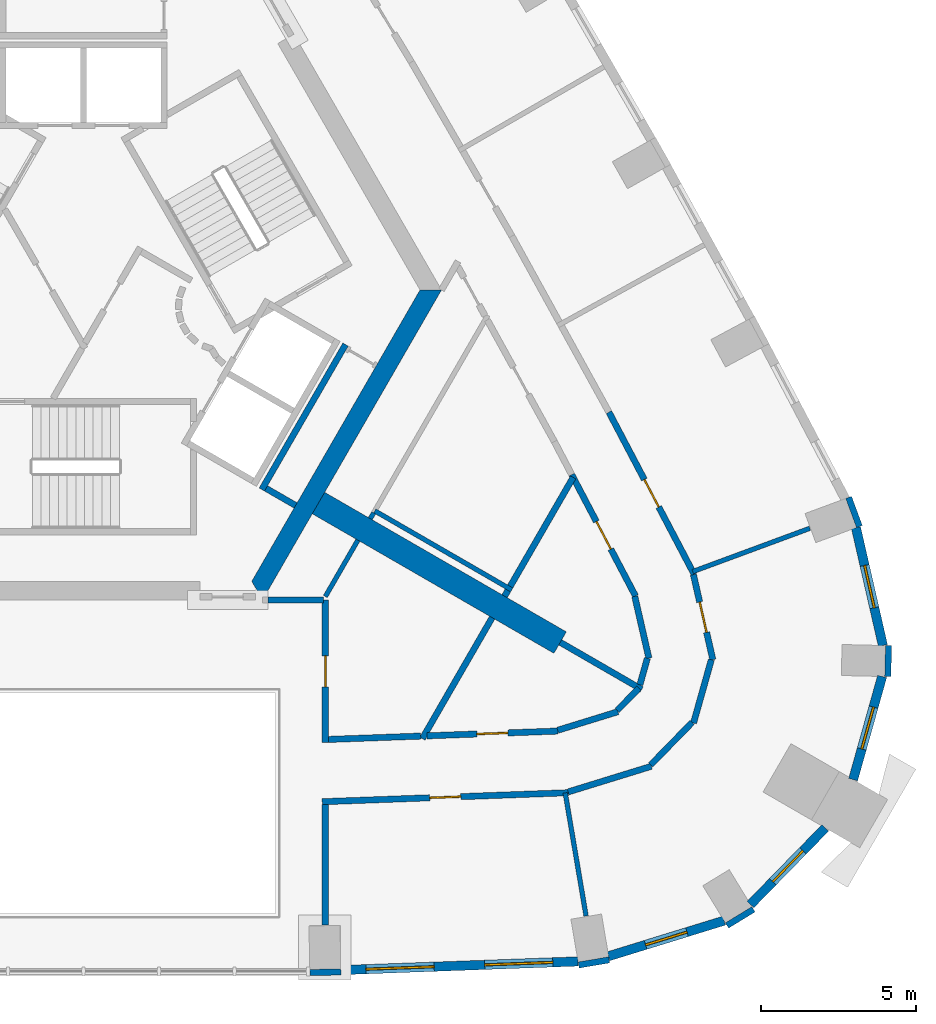
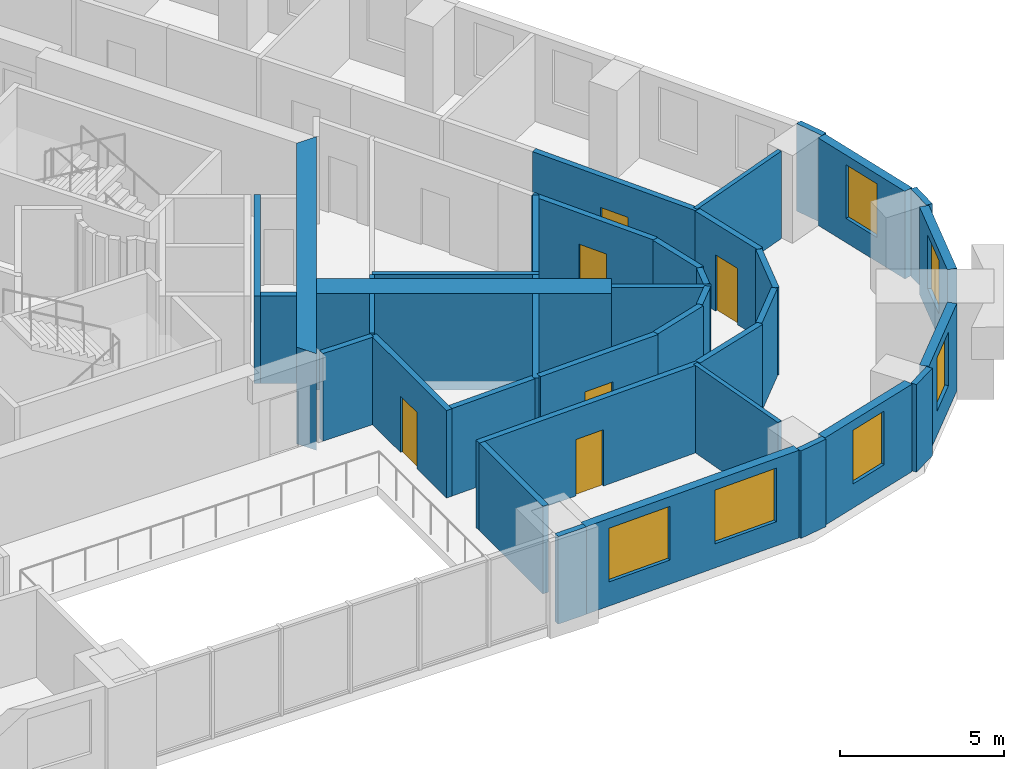
# One storey, part 6 of 11: 39 walls, 6 doors, 6 windows, 12 openings.
"""IFC4 building model written with IfcOpenShell, lengths in metres."""

from ifc_helpers import new_model, si_unit, direction, frame, frame_2d, origin, place, context, subcontext, project, spatial, polyline, rectangle, outline, extrude, material, layer, layer_set, type_object, element, fill, save


model = new_model("IFC4")

# Units and contexts
model_context = context("Model", 3, precision=1e-05, world=origin(), true_north=direction((0.0, 1.0)))
body_context = subcontext(model_context, "Body", "Model", "MODEL_VIEW")
ifc_project = project(units=[si_unit("LENGTHUNIT", "METRE"), si_unit("AREAUNIT", "SQUARE_METRE"), si_unit("VOLUMEUNIT", "CUBIC_METRE"), si_unit("PLANEANGLEUNIT", "RADIAN"), si_unit("MASSUNIT", "GRAM", prefix="KILO")], contexts=[model_context])

# Site, building, storey
site_placement = place(None, origin())
site = spatial("IfcSite", under=ifc_project, at=site_placement, CompositionType="ELEMENT")
building_placement = place(site_placement, origin())
building = spatial("IfcBuilding", under=site, at=building_placement, Name="Entoto Arch Interchange Tower", CompositionType="ELEMENT")
storey_placement = place(building_placement, frame((0.0, 0.0, 248.60009765625)))
storey = spatial("IfcBuildingStorey", under=building, at=storey_placement, Name="L56", CompositionType="ELEMENT", Elevation=248.60009765625)

# Walls
ifc_material_1 = material(Name="Concrete C40/50", Category="concrete")
ifc_layer_1 = layer(ifc_material_1, 0.800048828125)
ifc_layer_set_1 = layer_set([ifc_layer_1], Name="Concrete C40/50")
wall_type_1 = type_object("IfcWallType", Name="Buttress wall 800 C40/50", PredefinedType="SHEAR", material=ifc_layer_set_1)
wall_1_placement = place(storey_placement, frame((7.577880859375, -4.375, -0.340087890625), z_axis=(0.0, 0.0, 1.0), x_axis=(0.866024315419, -0.5000018851, 0.0)))
element("IfcWall", 1, at=wall_1_placement, inside=storey, type_object=wall_type_1, Name="Buttress wall SE L56", PredefinedType="SHEAR", context=body_context, shape_type="SweptSolid", body=[
    extrude(rectangle(XDim=9.0, YDim=0.800048828125, at=frame_2d((4.5, 0.0))), origin(), (0.0, 0.0, 1.0), 3.60009765625),
])
ifc_layer_2 = layer(ifc_material_1, 0.60009765625)
ifc_layer_set_2 = layer_set([ifc_layer_2], Name="Concrete C40/50")
wall_type_2 = type_object("IfcWallType", Name="Core wall 600 C40/50", PredefinedType="SHEAR", material=ifc_layer_set_2)
wall_2_placement = place(storey_placement, frame((0.0, 0.0, -0.340087890625)))
element("IfcWall", 2, at=wall_2_placement, inside=storey, type_object=wall_type_2, Name="Core wall SE L56", PredefinedType="SHEAR", context=body_context, shape_type="SweptSolid", body=[
    extrude(outline(polyline([(5.77392578125, -7.5), (11.547119140625, 2.5), (10.85400390625, 2.5), (5.427001953125, -6.89990234375), (5.77392578125, -7.5)])), origin(), (0.0, 0.0, 1.0), 3.60009765625),
])
ifc_material_2 = material(Name="Gypsum board partition on steel studs", Category="steel")
ifc_layer_3 = layer(ifc_material_2, 0.14990234375)
ifc_layer_set_3 = layer_set([ifc_layer_3], Name="Gypsum board partition on steel studs")
wall_type_3 = type_object("IfcWallType", Name="PARTITION 150", PredefinedType="PARTITIONING", material=ifc_layer_set_3)
wall_3_placement = place(storey_placement, frame((7.800048828125, -7.389892578125, 0.0), z_axis=(0.0, 0.0, 1.0), x_axis=(0.499977374825, 0.866038466041, 0.0)))
element("IfcWall", 3, at=wall_3_placement, inside=storey, type_object=wall_type_3, Name="wall:L56:p073", PredefinedType="PARTITIONING", context=body_context, shape_type="SweptSolid", body=[
    extrude(rectangle(XDim=2.10009765625, YDim=0.14990234375, at=frame_2d((1.050048828125, 0.0))), origin(), (0.0, 0.0, 1.0), 3.260009765625),
])
wall_4_placement = place(storey_placement, frame((9.39501953125, -4.626953125, 0.0), z_axis=(0.0, 0.0, 1.0), x_axis=(0.866034131428, -0.499984882974, 0.0)))
element("IfcWall", 4, at=wall_4_placement, inside=storey, type_object=wall_type_3, Name="wall:L56:p091", PredefinedType="PARTITIONING", context=body_context, shape_type="SweptSolid", body=[
    extrude(rectangle(XDim=5.100341796875, YDim=0.14990234375, at=frame_2d((2.55029296875, 0.0))), origin(), (0.0, 0.0, 1.0), 3.260009765625),
])
wall_5_placement = place(storey_placement, frame((15.537109375, -13.721923828125, 0.0), z_axis=(0.0, 0.0, 1.0), x_axis=(0.167012380144, -0.985954798598, 0.0)))
element("IfcWall", 5, at=wall_5_placement, inside=storey, type_object=wall_type_3, Name="wall:L56:p103", PredefinedType="PARTITIONING", context=body_context, shape_type="SweptSolid", body=[
    extrude(rectangle(XDim=4.02880859375, YDim=0.14990234375, at=frame_2d((2.014404296875, 0.0))), origin(), (0.0, 0.0, 1.0), 3.260009765625),
])
wall_6_placement = place(storey_placement, frame((19.64892578125, -6.5859375, 0.0), z_axis=(0.0, 0.0, 1.0), x_axis=(0.937935790958, 0.346808956114, 0.0)))
element("IfcWall", 6, at=wall_6_placement, inside=storey, type_object=wall_type_3, Name="wall:L56:p104", PredefinedType="PARTITIONING", context=body_context, shape_type="SweptSolid", body=[
    extrude(rectangle(XDim=4.028076171875, YDim=0.14990234375, at=frame_2d((2.01416015625, 0.0))), origin(), (0.0, 0.0, 1.0), 3.260009765625),
])
wall_7_placement = place(storey_placement, frame((9.25, -4.87890625, 0.0), z_axis=(0.0, 0.0, 1.0), x_axis=(0.499787711288, 0.866147934042, 0.0)))
element("IfcWall", 7, at=wall_7_placement, inside=storey, type_object=wall_type_3, Name="wall:L56:p073", PredefinedType="PARTITIONING", context=body_context, shape_type="SweptSolid", body=[
    extrude(rectangle(XDim=0.2158203125, YDim=0.14990234375, at=frame_2d((0.10791015625, 0.0))), origin(), (0.0, 0.0, 1.0), 3.260009765625),
])
ifc_layer_4 = layer(ifc_material_2, 0.199951171875)
ifc_layer_set_4 = layer_set([ifc_layer_4], Name="Gypsum board partition on steel studs")
wall_type_4 = type_object("IfcWallType", Name="PARTITION 200", PredefinedType="PARTITIONING", material=ifc_layer_set_4)
wall_8_placement = place(storey_placement, frame((7.89990234375, -11.9990234375, 0.0), z_axis=(0.0, 0.0, 1.0), x_axis=(0.999343711998, 0.036223546064, 0.0)))
element("IfcWall", 8, at=wall_8_placement, inside=storey, type_object=wall_type_4, Name="wall:L56:p013", PredefinedType="PARTITIONING", context=body_context, shape_type="SweptSolid", body=[
    extrude(rectangle(XDim=2.97900390625, YDim=0.199951171875, at=frame_2d((1.489501953125, 0.0))), origin(), (0.0, 0.0, 1.0), 3.260009765625),
])

# Wall, opening, door
wall_9_placement = place(storey_placement, frame((11.076904296875, -11.883056640625, 0.0), z_axis=(0.0, 0.0, 1.0), x_axis=(0.999335333519, 0.036453959732, 0.0)))
wall_9 = element("IfcWall", 9, at=wall_9_placement, inside=storey, type_object=wall_type_4, Name="wall:L56:p016", PredefinedType="PARTITIONING", context=body_context, shape_type="SweptSolid", body=[
    extrude(rectangle(XDim=4.22607421875, YDim=0.199951171875, at=frame_2d((2.113037109375, 0.0))), origin(), (0.0, 0.0, 1.0), 3.260009765625),
])
opening_1_placement = place(wall_9_placement, frame((1.613037109375, 0.0, 0.0)))
opening_1 = element("IfcOpeningElement", 10, at=opening_1_placement, cuts=wall_9, Name="Opening L56-D16", PredefinedType="OPENING", context=body_context, shape_type="SweptSolid", body=[
    extrude(rectangle(XDim=1.0, YDim=2.10009765625, at=frame_2d((0.5, 1.050048828125))), frame((0.0, 0.10986328125, 0.0), z_axis=(0.0, -1.0, 0.0), x_axis=(1.0, 0.0, 0.0)), (0.0, 0.0, 1.0), 0.219970703125),
])
ifc_material_3 = material(Name="Timber door leaf in Steel S235 frame", Category="steel")
door_type = type_object("IfcDoorType", Name="DOOR DS-10 1000x2100", OperationType="SINGLE_SWING_LEFT", PredefinedType="DOOR", material=ifc_material_3)
door_1_placement = place(opening_1_placement, origin())
door_1 = element("IfcDoor", 11, at=door_1_placement, inside=storey, type_object=door_type, Name="door:L56:16", OperationType="SINGLE_SWING_LEFT", OverallHeight=2.10009765625, OverallWidth=1.0, PredefinedType="DOOR", context=body_context, shape_type="SweptSolid", body=[
    extrude(rectangle(XDim=1.0, YDim=2.10009765625, at=frame_2d((0.5, 1.050048828125))), frame((0.0, 0.02490234375, 0.0), z_axis=(0.0, -1.0, 0.0), x_axis=(1.0, 0.0, 0.0)), (0.0, 0.0, 1.0), 0.050048828125),
])
fill(opening_1, door_1)

# Walls
wall_10_placement = place(storey_placement, frame((15.294921875, -11.702880859375, 0.0), z_axis=(0.0, 0.0, 1.0), x_axis=(0.95563113363, 0.294566013716, 0.0)))
element("IfcWall", 12, at=wall_10_placement, inside=storey, type_object=wall_type_4, Name="wall:L56:p017", PredefinedType="PARTITIONING", context=body_context, shape_type="SweptSolid", body=[
    extrude(rectangle(XDim=2.036376953125, YDim=0.199951171875, at=frame_2d((1.01806640625, 0.0))), origin(), (0.0, 0.0, 1.0), 3.260009765625),
])
wall_11_placement = place(storey_placement, frame((17.215087890625, -11.06103515625, 0.0), z_axis=(0.0, 0.0, 1.0), x_axis=(0.698527813511, 0.715582904877, 0.0)))
element("IfcWall", 13, at=wall_11_placement, inside=storey, type_object=wall_type_4, Name="wall:L56:p018", PredefinedType="PARTITIONING", context=body_context, shape_type="SweptSolid", body=[
    extrude(rectangle(XDim=1.001953125, YDim=0.199951171875, at=frame_2d((0.5009765625, 0.0))), origin(), (0.0, 0.0, 1.0), 3.260009765625),
])
wall_12_placement = place(storey_placement, frame((17.945068359375, -10.238037109375, 0.0), z_axis=(0.0, 0.0, 1.0), x_axis=(0.270785141481, 0.962639811743, 0.0)))
element("IfcWall", 14, at=wall_12_placement, inside=storey, type_object=wall_type_4, Name="wall:L56:p019", PredefinedType="PARTITIONING", context=body_context, shape_type="SweptSolid", body=[
    extrude(rectangle(XDim=0.8935546875, YDim=0.199951171875, at=frame_2d((0.44677734375, 0.0))), origin(), (0.0, 0.0, 1.0), 3.260009765625),
])
wall_13_placement = place(storey_placement, frame((18.236083984375, -9.37890625, 0.0), z_axis=(0.0, 0.0, 1.0), x_axis=(-0.222760041204, 0.974873306662, 0.0)))
element("IfcWall", 15, at=wall_13_placement, inside=storey, type_object=wall_type_4, Name="wall:L56:p020", PredefinedType="PARTITIONING", context=body_context, shape_type="SweptSolid", body=[
    extrude(rectangle(XDim=2.04736328125, YDim=0.199951171875, at=frame_2d((1.023681640625, 0.0))), origin(), (0.0, 0.0, 1.0), 3.260009765625),
])

# Wall, opening, door
wall_14_placement = place(storey_placement, frame((17.803955078125, -7.3740234375, 0.0), z_axis=(0.0, 0.0, 1.0), x_axis=(-0.465179971699, 0.885216128372, 0.0)))
wall_14 = element("IfcWall", 16, at=wall_14_placement, inside=storey, type_object=wall_type_4, Name="wall:L56:p021", PredefinedType="PARTITIONING", context=body_context, shape_type="SweptSolid", body=[
    extrude(rectangle(XDim=4.423828125, YDim=0.199951171875, at=frame_2d((2.2119140625, 0.0))), origin(), (0.0, 0.0, 1.0), 3.260009765625),
])
opening_2_placement = place(wall_14_placement, frame((1.7119140625, 0.0, 0.0)))
opening_2 = element("IfcOpeningElement", 17, at=opening_2_placement, cuts=wall_14, Name="Opening L56-D17", PredefinedType="OPENING", context=body_context, shape_type="SweptSolid", body=[
    extrude(rectangle(XDim=1.0, YDim=2.10009765625, at=frame_2d((0.5, 1.050048828125))), frame((0.0, 0.10986328125, 0.0), z_axis=(0.0, -1.0, 0.0), x_axis=(1.0, 0.0, 0.0)), (0.0, 0.0, 1.0), 0.219970703125),
])
door_2_placement = place(opening_2_placement, origin())
door_2 = element("IfcDoor", 18, at=door_2_placement, inside=storey, type_object=door_type, Name="door:L56:17", OperationType="SINGLE_SWING_LEFT", OverallHeight=2.10009765625, OverallWidth=1.0, PredefinedType="DOOR", context=body_context, shape_type="SweptSolid", body=[
    extrude(rectangle(XDim=1.0, YDim=2.10009765625, at=frame_2d((0.5, 1.050048828125))), frame((0.0, 0.02490234375, 0.0), z_axis=(0.0, -1.0, 0.0), x_axis=(1.0, 0.0, 0.0)), (0.0, 0.0, 1.0), 0.050048828125),
])
fill(opening_2, door_2)

wall_15_placement = place(storey_placement, frame((15.635986328125, -13.718017578125, 0.0), z_axis=(0.0, 0.0, 1.0), x_axis=(-0.99933282306, -0.036522715615, 0.0)))
wall_15 = element("IfcWall", 19, at=wall_15_placement, inside=storey, type_object=wall_type_4, Name="wall:L56:p034", PredefinedType="PARTITIONING", context=body_context, shape_type="SweptSolid", body=[
    extrude(rectangle(XDim=7.94140625, YDim=0.199951171875, at=frame_2d((3.970703125, 0.0))), origin(), (0.0, 0.0, 1.0), 3.260009765625),
])
opening_3_placement = place(wall_15_placement, frame((3.470947265625, 0.0, 0.0)))
opening_3 = element("IfcOpeningElement", 20, at=opening_3_placement, cuts=wall_15, Name="Opening L56-D01", PredefinedType="OPENING", context=body_context, shape_type="SweptSolid", body=[
    extrude(rectangle(XDim=1.0, YDim=2.10009765625, at=frame_2d((0.5, 1.050048828125))), frame((0.0, 0.10986328125, 0.0), z_axis=(0.0, -1.0, 0.0), x_axis=(1.0, 0.0, 0.0)), (0.0, 0.0, 1.0), 0.219970703125),
])
door_3_placement = place(opening_3_placement, origin())
door_3 = element("IfcDoor", 21, at=door_3_placement, inside=storey, type_object=door_type, Name="door:L56:01", OperationType="SINGLE_SWING_RIGHT", OverallHeight=2.10009765625, OverallWidth=1.0, PredefinedType="DOOR", context=body_context, shape_type="SweptSolid", body=[
    extrude(rectangle(XDim=1.0, YDim=2.10009765625, at=frame_2d((0.5, 1.050048828125))), frame((0.0, 0.02490234375, 0.0), z_axis=(0.0, -1.0, 0.0), x_axis=(1.0, 0.0, 0.0)), (0.0, 0.0, 1.0), 0.050048828125),
])
fill(opening_3, door_3)

wall_16_placement = place(storey_placement, frame((19.672119140625, -6.68310546875, 0.0), z_axis=(0.0, 0.0, 1.0), x_axis=(0.222523624687, -0.974927298036, 0.0)))
wall_16 = element("IfcWall", 22, at=wall_16_placement, inside=storey, type_object=wall_type_4, Name="wall:L56:p035", PredefinedType="PARTITIONING", context=body_context, shape_type="SweptSolid", body=[
    extrude(rectangle(XDim=2.8173828125, YDim=0.199951171875, at=frame_2d((1.40869140625, 0.0))), origin(), (0.0, 0.0, 1.0), 3.260009765625),
])
opening_4_placement = place(wall_16_placement, frame((0.908935546875, 0.0, 0.0)))
opening_4 = element("IfcOpeningElement", 23, at=opening_4_placement, cuts=wall_16, Name="Opening L56-D02", PredefinedType="OPENING", context=body_context, shape_type="SweptSolid", body=[
    extrude(rectangle(XDim=1.0, YDim=2.10009765625, at=frame_2d((0.5, 1.050048828125))), frame((0.0, 0.10986328125, 0.0), z_axis=(0.0, -1.0, 0.0), x_axis=(1.0, 0.0, 0.0)), (0.0, 0.0, 1.0), 0.219970703125),
])
door_4_placement = place(opening_4_placement, origin())
door_4 = element("IfcDoor", 24, at=door_4_placement, inside=storey, type_object=door_type, Name="door:L56:02", OperationType="SINGLE_SWING_LEFT", OverallHeight=2.10009765625, OverallWidth=1.0, PredefinedType="DOOR", context=body_context, shape_type="SweptSolid", body=[
    extrude(rectangle(XDim=1.0, YDim=2.10009765625, at=frame_2d((0.5, 1.050048828125))), frame((0.0, 0.02490234375, 0.0), z_axis=(0.0, -1.0, 0.0), x_axis=(1.0, 0.0, 0.0)), (0.0, 0.0, 1.0), 0.050048828125),
])
fill(opening_4, door_4)

# Walls
wall_17_placement = place(storey_placement, frame((20.25, -9.428955078125, 0.0), z_axis=(0.0, 0.0, 1.0), x_axis=(-0.270905475888, -0.962605954238, 0.0)))
element("IfcWall", 25, at=wall_17_placement, inside=storey, type_object=wall_type_4, Name="wall:L56:p036", PredefinedType="PARTITIONING", context=body_context, shape_type="SweptSolid", body=[
    extrude(rectangle(XDim=2.122314453125, YDim=0.199951171875, at=frame_2d((1.06103515625, 0.0))), origin(), (0.0, 0.0, 1.0), 3.260009765625),
])
wall_18_placement = place(storey_placement, frame((19.633056640625, -11.447021484375, 0.0), z_axis=(0.0, 0.0, 1.0), x_axis=(-0.698477855606, -0.715631668687, 0.0)))
element("IfcWall", 26, at=wall_18_placement, inside=storey, type_object=wall_type_4, Name="wall:L56:p037", PredefinedType="PARTITIONING", context=body_context, shape_type="SweptSolid", body=[
    extrude(rectangle(XDim=1.92138671875, YDim=0.199951171875, at=frame_2d((0.960693359375, 0.0))), origin(), (0.0, 0.0, 1.0), 3.260009765625),
])
wall_19_placement = place(storey_placement, frame((18.31689453125, -12.864013671875, 0.0), z_axis=(0.0, 0.0, 1.0), x_axis=(-0.955600342663, -0.294665887239, 0.0)))
element("IfcWall", 27, at=wall_19_placement, inside=storey, type_object=wall_type_4, Name="wall:L56:p038", PredefinedType="PARTITIONING", context=body_context, shape_type="SweptSolid", body=[
    extrude(rectangle(XDim=2.8095703125, YDim=0.199951171875, at=frame_2d((1.40478515625, 0.0))), origin(), (0.0, 0.0, 1.0), 3.260009765625),
])

# Wall, opening, door
wall_20_placement = place(storey_placement, frame((16.947021484375, -1.443115234375, 0.0), z_axis=(0.0, 0.0, 1.0), x_axis=(0.465133414481, -0.88524059257, 0.0)))
wall_20 = element("IfcWall", 28, at=wall_20_placement, inside=storey, type_object=wall_type_4, Name="wall:L56:p040", PredefinedType="PARTITIONING", context=body_context, shape_type="SweptSolid", body=[
    extrude(rectangle(XDim=5.91015625, YDim=0.199951171875, at=frame_2d((2.955078125, 0.0))), origin(), (0.0, 0.0, 1.0), 3.260009765625),
])
opening_5_placement = place(wall_20_placement, frame((2.455078125, 0.0, 0.0)))
opening_5 = element("IfcOpeningElement", 29, at=opening_5_placement, cuts=wall_20, Name="Opening L56-D03", PredefinedType="OPENING", context=body_context, shape_type="SweptSolid", body=[
    extrude(rectangle(XDim=1.0, YDim=2.10009765625, at=frame_2d((0.5, 1.050048828125))), frame((0.0, 0.10986328125, 0.0), z_axis=(0.0, -1.0, 0.0), x_axis=(1.0, 0.0, 0.0)), (0.0, 0.0, 1.0), 0.219970703125),
])
door_5_placement = place(opening_5_placement, origin())
door_5 = element("IfcDoor", 30, at=door_5_placement, inside=storey, type_object=door_type, Name="door:L56:03", OperationType="SINGLE_SWING_LEFT", OverallHeight=2.10009765625, OverallWidth=1.0, PredefinedType="DOOR", context=body_context, shape_type="SweptSolid", body=[
    extrude(rectangle(XDim=1.0, YDim=2.10009765625, at=frame_2d((0.5, 1.050048828125))), frame((0.0, 0.02490234375, 0.0), z_axis=(0.0, -1.0, 0.0), x_axis=(1.0, 0.0, 0.0)), (0.0, 0.0, 1.0), 0.050048828125),
])
fill(opening_5, door_5)

# Walls
wall_21_placement = place(storey_placement, frame((5.7509765625, -3.93798828125, 0.0), z_axis=(0.0, 0.0, 1.0), x_axis=(0.500034260056, 0.866005622828, 0.0)))
element("IfcWall", 31, at=wall_21_placement, inside=storey, type_object=wall_type_4, Name="wall:L56:p065", PredefinedType="PARTITIONING", context=body_context, shape_type="SweptSolid", body=[
    extrude(rectangle(XDim=5.3994140625, YDim=0.199951171875, at=frame_2d((2.69970703125, 0.0))), origin(), (0.0, 0.0, 1.0), 3.260009765625),
])
wall_22_placement = place(storey_placement, frame((6.841064453125, -4.451904296875, 0.0), z_axis=(0.0, 0.0, 1.0), x_axis=(-0.86621513555, 0.499671230855, 0.0)))
element("IfcWall", 32, at=wall_22_placement, inside=storey, type_object=wall_type_4, Name="wall:L56:p067", PredefinedType="PARTITIONING", context=body_context, shape_type="SweptSolid", body=[
    extrude(rectangle(XDim=1.100341796875, YDim=0.199951171875, at=frame_2d((0.55029296875, 0.0))), origin(), (0.0, 0.0, 1.0), 3.260009765625),
])

# Wall, opening, door
wall_23_placement = place(storey_placement, frame((7.800048828125, -7.4990234375, 0.0), z_axis=(0.0, 0.0, 1.0), x_axis=(0.0, -1.0, 0.0)))
wall_23 = element("IfcWall", 33, at=wall_23_placement, inside=storey, type_object=wall_type_4, Name="wall:L56:p087", PredefinedType="PARTITIONING", context=body_context, shape_type="SweptSolid", body=[
    extrude(rectangle(XDim=4.60400390625, YDim=0.199951171875, at=frame_2d((2.302001953125, 0.0))), origin(), (0.0, 0.0, 1.0), 3.260009765625),
])
opening_6_placement = place(wall_23_placement, frame((1.802001953125, 0.0, 0.0)))
opening_6 = element("IfcOpeningElement", 34, at=opening_6_placement, cuts=wall_23, Name="Opening L56-D14", PredefinedType="OPENING", context=body_context, shape_type="SweptSolid", body=[
    extrude(rectangle(XDim=1.0, YDim=2.10009765625, at=frame_2d((0.5, 1.050048828125))), frame((0.0, 0.10986328125, 0.0), z_axis=(0.0, -1.0, 0.0), x_axis=(1.0, 0.0, 0.0)), (0.0, 0.0, 1.0), 0.219970703125),
])
door_6_placement = place(opening_6_placement, origin())
door_6 = element("IfcDoor", 35, at=door_6_placement, inside=storey, type_object=door_type, Name="door:L56:14", OperationType="SINGLE_SWING_LEFT", OverallHeight=2.10009765625, OverallWidth=1.0, PredefinedType="DOOR", context=body_context, shape_type="SweptSolid", body=[
    extrude(rectangle(XDim=1.0, YDim=2.10009765625, at=frame_2d((0.5, 1.050048828125))), frame((0.0, 0.02490234375, 0.0), z_axis=(0.0, -1.0, 0.0), x_axis=(1.0, 0.0, 0.0)), (0.0, 0.0, 1.0), 0.050048828125),
])
fill(opening_6, door_6)

# Walls
wall_24_placement = place(storey_placement, frame((7.800048828125, -14.10400390625, 0.0), z_axis=(0.0, 0.0, 1.0), x_axis=(0.0, -1.0, 0.0)))
element("IfcWall", 36, at=wall_24_placement, inside=storey, type_object=wall_type_4, Name="wall:L56:p089", PredefinedType="PARTITIONING", context=body_context, shape_type="SweptSolid", body=[
    extrude(rectangle(XDim=3.884033203125, YDim=0.199951171875, at=frame_2d((1.94189453125, 0.0))), origin(), (0.0, 0.0, 1.0), 3.260009765625),
])
wall_25_placement = place(storey_placement, frame((13.179931640625, -8.071044921875, 0.0), z_axis=(0.0, 0.0, 1.0), x_axis=(-0.499914724673, -0.86607463192, 0.0)))
element("IfcWall", 37, at=wall_25_placement, inside=storey, type_object=wall_type_4, Name="wall:L56:p092", PredefinedType="PARTITIONING", context=body_context, shape_type="SweptSolid", body=[
    extrude(rectangle(XDim=4.506591796875, YDim=0.199951171875, at=frame_2d((2.25341796875, 0.0))), origin(), (0.0, 0.0, 1.0), 3.260009765625),
])
wall_26_placement = place(storey_placement, frame((13.68798828125, -7.19189453125, 0.0), z_axis=(0.0, 0.0, 1.0), x_axis=(-0.499787711288, -0.866147934042, 0.0)))
element("IfcWall", 38, at=wall_26_placement, inside=storey, type_object=wall_type_4, Name="wall:L56:p093", PredefinedType="PARTITIONING", context=body_context, shape_type="SweptSolid", body=[
    extrude(rectangle(XDim=0.2158203125, YDim=0.199951171875, at=frame_2d((0.10791015625, 0.0))), origin(), (0.0, 0.0, 1.0), 3.260009765625),
])
wall_27_placement = place(storey_placement, frame((15.79296875, -3.5458984375, 0.0), z_axis=(0.0, 0.0, 1.0), x_axis=(-0.500000064182, -0.866025366729, 0.0)))
element("IfcWall", 39, at=wall_27_placement, inside=storey, type_object=wall_type_4, Name="wall:L56:p094", PredefinedType="PARTITIONING", context=body_context, shape_type="SweptSolid", body=[
    extrude(rectangle(XDim=4.06005859375, YDim=0.199951171875, at=frame_2d((2.030029296875, 0.0))), origin(), (0.0, 0.0, 1.0), 3.260009765625),
])
wall_28_placement = place(storey_placement, frame((15.376953125, -8.866943359375, 0.0), z_axis=(0.0, 0.0, 1.0), x_axis=(0.865965767548, -0.500103278768, 0.0)))
element("IfcWall", 40, at=wall_28_placement, inside=storey, type_object=wall_type_4, Name="wall:L56:p095", PredefinedType="PARTITIONING", context=body_context, shape_type="SweptSolid", body=[
    extrude(rectangle(XDim=3.033447265625, YDim=0.199951171875, at=frame_2d((1.5166015625, 0.0))), origin(), (0.0, 0.0, 1.0), 3.260009765625),
])
wall_29_placement = place(storey_placement, frame((5.944091796875, -7.4990234375, 0.0), z_axis=(0.0, 0.0, 1.0), x_axis=(1.0, 0.0, 0.0)))
element("IfcWall", 41, at=wall_29_placement, inside=storey, type_object=wall_type_4, Name="wall:L56:p072", PredefinedType="PARTITIONING", context=body_context, shape_type="SweptSolid", body=[
    extrude(rectangle(XDim=1.79296875, YDim=0.199951171875, at=frame_2d((0.896484375, 0.0))), origin(), (0.0, 0.0, 1.0), 3.260009765625),
])

# Wall, openings, windows
ifc_material_4 = material(Name="Welded tuff (ignimbrite) cladding, warm buff", Category="masonry")
ifc_layer_5 = layer(ifc_material_4, 0.300048828125)
ifc_layer_set_5 = layer_set([ifc_layer_5], Name="Welded tuff (ignimbrite) cladding, warm buff")
wall_type_5 = type_object("IfcWallType", Name="STONE INFILL WALL 300", PredefinedType="STANDARD", material=ifc_layer_set_5)
wall_30_placement = place(storey_placement, frame((8.2958984375, -19.43994140625, 0.0), z_axis=(0.0, 0.0, 1.0), x_axis=(0.999331753125, 0.036551979363, 0.0)))
wall_30 = element("IfcWall", 42, at=wall_30_placement, inside=storey, type_object=wall_type_5, Name="Facade wall S-03 L56", PredefinedType="STANDARD", context=body_context, shape_type="SweptSolid", body=[
    extrude(rectangle(XDim=7.6611328125, YDim=0.300048828125, at=frame_2d((3.83056640625, 0.0))), origin(), (0.0, 0.0, 1.0), 3.260009765625),
])
opening_7_placement = place(wall_30_placement, frame((0.81494140625, 0.0, 0.89990234375)))
opening_7 = element("IfcOpeningElement", 43, at=opening_7_placement, cuts=wall_30, Name="Opening WH-A", PredefinedType="OPENING", context=body_context, shape_type="SweptSolid", body=[
    extrude(rectangle(XDim=2.199951171875, YDim=2.0, at=frame_2d((1.10009765625, 1.0))), frame((0.0, 0.16015625, 0.0), z_axis=(0.0, -1.0, 0.0), x_axis=(1.0, 0.0, 0.0)), (0.0, 0.0, 1.0), 0.320068359375),
])
opening_8_placement = place(wall_30_placement, frame((4.64599609375, 0.0, 0.89990234375)))
opening_8 = element("IfcOpeningElement", 44, at=opening_8_placement, cuts=wall_30, Name="Opening WH-A", PredefinedType="OPENING", context=body_context, shape_type="SweptSolid", body=[
    extrude(rectangle(XDim=2.199951171875, YDim=2.0, at=frame_2d((1.10009765625, 1.0))), frame((0.0, 0.16015625, 0.0), z_axis=(0.0, -1.0, 0.0), x_axis=(1.0, 0.0, 0.0)), (0.0, 0.0, 1.0), 0.320068359375),
])
ifc_material_5 = material(Name="Clear glass, low-e double glazed", Category="glass")
window_type_1 = type_object("IfcWindowType", Name="WINDOW WH-A 2200x2000", PartitioningType="DOUBLE_PANEL_VERTICAL", PredefinedType="WINDOW", material=ifc_material_5)
window_1_placement = place(opening_7_placement, origin())
window_1 = element("IfcWindow", 45, at=window_1_placement, inside=storey, type_object=window_type_1, Name="Window WH-A S-03 L56", OverallHeight=2.0, OverallWidth=2.199951171875, PartitioningType="SINGLE_PANEL", PredefinedType="WINDOW", context=body_context, shape_type="SweptSolid", body=[
    extrude(rectangle(XDim=2.199951171875, YDim=2.0, at=frame_2d((1.10009765625, 1.0))), frame((0.0, 0.030029296875, 0.0), z_axis=(0.0, -1.0, 0.0), x_axis=(1.0, 0.0, 0.0)), (0.0, 0.0, 1.0), 0.06005859375),
])
fill(opening_7, window_1)
window_2_placement = place(opening_8_placement, origin())
window_2 = element("IfcWindow", 46, at=window_2_placement, inside=storey, type_object=window_type_1, Name="Window WH-A S-03 L56", OverallHeight=2.0, OverallWidth=2.199951171875, PartitioningType="SINGLE_PANEL", PredefinedType="WINDOW", context=body_context, shape_type="SweptSolid", body=[
    extrude(rectangle(XDim=2.199951171875, YDim=2.0, at=frame_2d((1.10009765625, 1.0))), frame((0.0, 0.030029296875, 0.0), z_axis=(0.0, -1.0, 0.0), x_axis=(1.0, 0.0, 0.0)), (0.0, 0.0, 1.0), 0.06005859375),
])
fill(opening_8, window_2)

# Wall, opening, window
wall_31_placement = place(storey_placement, frame((16.93603515625, -18.992919921875, 0.0), z_axis=(0.0, 0.0, 1.0), x_axis=(0.955646189569, 0.2945171648, 0.0)))
wall_31 = element("IfcWall", 47, at=wall_31_placement, inside=storey, type_object=wall_type_5, Name="Facade wall SE-01 L56", PredefinedType="STANDARD", context=body_context, shape_type="SweptSolid", body=[
    extrude(rectangle(XDim=3.897705078125, YDim=0.300048828125, at=frame_2d((1.94873046875, 0.0))), origin(), (0.0, 0.0, 1.0), 3.260009765625),
])
opening_9_placement = place(wall_31_placement, frame((1.2490234375, 0.0, 0.89990234375)))
opening_9 = element("IfcOpeningElement", 48, at=opening_9_placement, cuts=wall_31, Name="Opening WH-B", PredefinedType="OPENING", context=body_context, shape_type="SweptSolid", body=[
    extrude(rectangle(XDim=1.39990234375, YDim=2.0, at=frame_2d((0.699951171875, 1.0))), frame((0.0, 0.16015625, 0.0), z_axis=(0.0, -1.0, 0.0), x_axis=(1.0, 0.0, 0.0)), (0.0, 0.0, 1.0), 0.320068359375),
])
window_type_2 = type_object("IfcWindowType", Name="WINDOW WH-B 1400x2000", PartitioningType="DOUBLE_PANEL_VERTICAL", PredefinedType="WINDOW", material=ifc_material_5)
window_3_placement = place(opening_9_placement, origin())
window_3 = element("IfcWindow", 49, at=window_3_placement, inside=storey, type_object=window_type_2, Name="Window WH-B SE-01 L56", OverallHeight=2.0, OverallWidth=1.39990234375, PartitioningType="SINGLE_PANEL", PredefinedType="WINDOW", context=body_context, shape_type="SweptSolid", body=[
    extrude(rectangle(XDim=1.39990234375, YDim=2.0, at=frame_2d((0.699951171875, 1.0))), frame((0.0, 0.030029296875, 0.0), z_axis=(0.0, -1.0, 0.0), x_axis=(1.0, 0.0, 0.0)), (0.0, 0.0, 1.0), 0.06005859375),
])
fill(opening_9, window_3)

wall_32_placement = place(storey_placement, frame((21.512939453125, -17.323974609375, 0.0), z_axis=(0.0, 0.0, 1.0), x_axis=(0.698394514831, 0.715713002294, 0.0)))
wall_32 = element("IfcWall", 50, at=wall_32_placement, inside=storey, type_object=wall_type_5, Name="Facade wall SE-02 L56", PredefinedType="STANDARD", context=body_context, shape_type="SweptSolid", body=[
    extrude(rectangle(XDim=3.453857421875, YDim=0.300048828125, at=frame_2d((1.72705078125, 0.0))), origin(), (0.0, 0.0, 1.0), 3.260009765625),
])
opening_10_placement = place(wall_32_placement, frame((1.027099609375, 0.0, 0.89990234375)))
opening_10 = element("IfcOpeningElement", 51, at=opening_10_placement, cuts=wall_32, Name="Opening WH-B", PredefinedType="OPENING", context=body_context, shape_type="SweptSolid", body=[
    extrude(rectangle(XDim=1.39990234375, YDim=2.0, at=frame_2d((0.699951171875, 1.0))), frame((0.0, 0.16015625, 0.0), z_axis=(0.0, -1.0, 0.0), x_axis=(1.0, 0.0, 0.0)), (0.0, 0.0, 1.0), 0.320068359375),
])
window_4_placement = place(opening_10_placement, origin())
window_4 = element("IfcWindow", 52, at=window_4_placement, inside=storey, type_object=window_type_2, Name="Window WH-B SE-02 L56", OverallHeight=2.0, OverallWidth=1.39990234375, PartitioningType="SINGLE_PANEL", PredefinedType="WINDOW", context=body_context, shape_type="SweptSolid", body=[
    extrude(rectangle(XDim=1.39990234375, YDim=2.0, at=frame_2d((0.699951171875, 1.0))), frame((0.0, 0.030029296875, 0.0), z_axis=(0.0, -1.0, 0.0), x_axis=(1.0, 0.0, 0.0)), (0.0, 0.0, 1.0), 0.06005859375),
])
fill(opening_10, window_4)

wall_33_placement = place(storey_placement, frame((24.823974609375, -13.294921875, 0.0), z_axis=(0.0, 0.0, 1.0), x_axis=(0.270837632743, 0.962625044703, 0.0)))
wall_33 = element("IfcWall", 53, at=wall_33_placement, inside=storey, type_object=wall_type_5, Name="Facade wall SE-03 L56", PredefinedType="STANDARD", context=body_context, shape_type="SweptSolid", body=[
    extrude(rectangle(XDim=3.4560546875, YDim=0.300048828125, at=frame_2d((1.72802734375, 0.0))), origin(), (0.0, 0.0, 1.0), 3.260009765625),
])
opening_11_placement = place(wall_33_placement, frame((1.028076171875, 0.0, 0.89990234375)))
opening_11 = element("IfcOpeningElement", 54, at=opening_11_placement, cuts=wall_33, Name="Opening WH-B", PredefinedType="OPENING", context=body_context, shape_type="SweptSolid", body=[
    extrude(rectangle(XDim=1.39990234375, YDim=2.0, at=frame_2d((0.699951171875, 1.0))), frame((0.0, 0.16015625, 0.0), z_axis=(0.0, -1.0, 0.0), x_axis=(1.0, 0.0, 0.0)), (0.0, 0.0, 1.0), 0.320068359375),
])
window_5_placement = place(opening_11_placement, origin())
window_5 = element("IfcWindow", 55, at=window_5_placement, inside=storey, type_object=window_type_2, Name="Window WH-B SE-03 L56", OverallHeight=2.0, OverallWidth=1.39990234375, PartitioningType="SINGLE_PANEL", PredefinedType="WINDOW", context=body_context, shape_type="SweptSolid", body=[
    extrude(rectangle(XDim=1.39990234375, YDim=2.0, at=frame_2d((0.699951171875, 1.0))), frame((0.0, 0.030029296875, 0.0), z_axis=(0.0, -1.0, 0.0), x_axis=(1.0, 0.0, 0.0)), (0.0, 0.0, 1.0), 0.06005859375),
])
fill(opening_11, window_5)

wall_34_placement = place(storey_placement, frame((25.784912109375, -8.969970703125, 0.0), z_axis=(0.0, 0.0, 1.0), x_axis=(-0.222901327396, 0.974841011778, 0.0)))
wall_34 = element("IfcWall", 56, at=wall_34_placement, inside=storey, type_object=wall_type_5, Name="Facade wall SE-04 L56", PredefinedType="STANDARD", context=body_context, shape_type="SweptSolid", body=[
    extrude(rectangle(XDim=3.898193359375, YDim=0.300048828125, at=frame_2d((1.94921875, 0.0))), origin(), (0.0, 0.0, 1.0), 3.260009765625),
])
opening_12_placement = place(wall_34_placement, frame((1.2490234375, 0.0, 0.89990234375)))
opening_12 = element("IfcOpeningElement", 57, at=opening_12_placement, cuts=wall_34, Name="Opening WH-B", PredefinedType="OPENING", context=body_context, shape_type="SweptSolid", body=[
    extrude(rectangle(XDim=1.39990234375, YDim=2.0, at=frame_2d((0.699951171875, 1.0))), frame((0.0, 0.16015625, 0.0), z_axis=(0.0, -1.0, 0.0), x_axis=(1.0, 0.0, 0.0)), (0.0, 0.0, 1.0), 0.320068359375),
])
window_6_placement = place(opening_12_placement, origin())
window_6 = element("IfcWindow", 58, at=window_6_placement, inside=storey, type_object=window_type_2, Name="Window WH-B SE-04 L56", OverallHeight=2.0, OverallWidth=1.39990234375, PartitioningType="SINGLE_PANEL", PredefinedType="WINDOW", context=body_context, shape_type="SweptSolid", body=[
    extrude(rectangle(XDim=1.39990234375, YDim=2.0, at=frame_2d((0.699951171875, 1.0))), frame((0.0, 0.030029296875, 0.0), z_axis=(0.0, -1.0, 0.0), x_axis=(1.0, 0.0, 0.0)), (0.0, 0.0, 1.0), 0.06005859375),
])
fill(opening_12, window_6)

# Walls
ifc_layer_6 = layer(ifc_material_4, 0.199951171875)
ifc_layer_set_6 = layer_set([ifc_layer_6], Name="Welded tuff (ignimbrite) cladding, warm buff")
wall_type_6 = type_object("IfcWallType", Name="STONE PIER CLADDING 200", PredefinedType="STANDARD", material=ifc_layer_set_6)
wall_35_placement = place(storey_placement, frame((25.02587890625, -5.131103515625, 0.0), z_axis=(0.0, 0.0, 1.0), x_axis=(-0.346892928577, 0.937904737222, 0.0)))
element("IfcWall", 59, at=wall_35_placement, inside=storey, type_object=wall_type_6, Name="Stone pier NE01 L56", PredefinedType="STANDARD", context=body_context, shape_type="SweptSolid", body=[
    extrude(rectangle(XDim=1.0, YDim=0.199951171875, at=frame_2d((0.5, 0.0))), origin(), (0.0, 0.0, 1.0), 3.260009765625),
])
for number, where, z_axis, x_axis, name in (
    (60, (7.298095703125, -19.51708984375, 0.0), (0.0, 0.0, 1.0), (0.999836842422, 0.018063458579, 0.0), "Stone pier S03 L56"),
    (61, (15.969970703125, -19.27587890625, 0.0), (0.0, 0.0, 1.0), (0.985961725342, 0.166971483074, 0.0), "Stone pier S04 L56"),
):
    element("IfcWall", number, at=place(storey_placement, frame(where, z_axis=z_axis, x_axis=x_axis)), inside=storey, type_object=wall_type_6, Name=name, PredefinedType="STANDARD", context=body_context, shape_type="SweptSolid", body=[
        extrude(rectangle(XDim=1.000244140625, YDim=0.199951171875, at=frame_2d((0.5, 0.0))), origin(), (0.0, 0.0, 1.0), 3.260009765625),
    ])
wall_36_placement = place(storey_placement, frame((20.7548828125, -18.0, 0.0), z_axis=(0.0, 0.0, 1.0), x_axis=(0.853679739553, 0.520798331677, 0.0)))
element("IfcWall", 62, at=wall_36_placement, inside=storey, type_object=wall_type_6, Name="Stone pier SE1 L56", PredefinedType="STANDARD", context=body_context, shape_type="SweptSolid", body=[
    extrude(rectangle(XDim=1.00048828125, YDim=0.199951171875, at=frame_2d((0.500244140625, 0.0))), origin(), (0.0, 0.0, 1.0), 3.260009765625),
])
wall_37_placement = place(storey_placement, frame((25.94189453125, -9.972900390625, 0.0), z_axis=(0.0, 0.0, 1.0), x_axis=(0.024192379573, 0.999707321555, 0.0)))
element("IfcWall", 63, at=wall_37_placement, inside=storey, type_object=wall_type_6, Name="Stone pier SE3 L56", PredefinedType="STANDARD", context=body_context, shape_type="SweptSolid", body=[
    extrude(rectangle(XDim=0.9990234375, YDim=0.199951171875, at=frame_2d((0.49951171875, 0.0))), origin(), (0.0, 0.0, 1.0), 3.260009765625),
])

save(model, "model.ifc")
